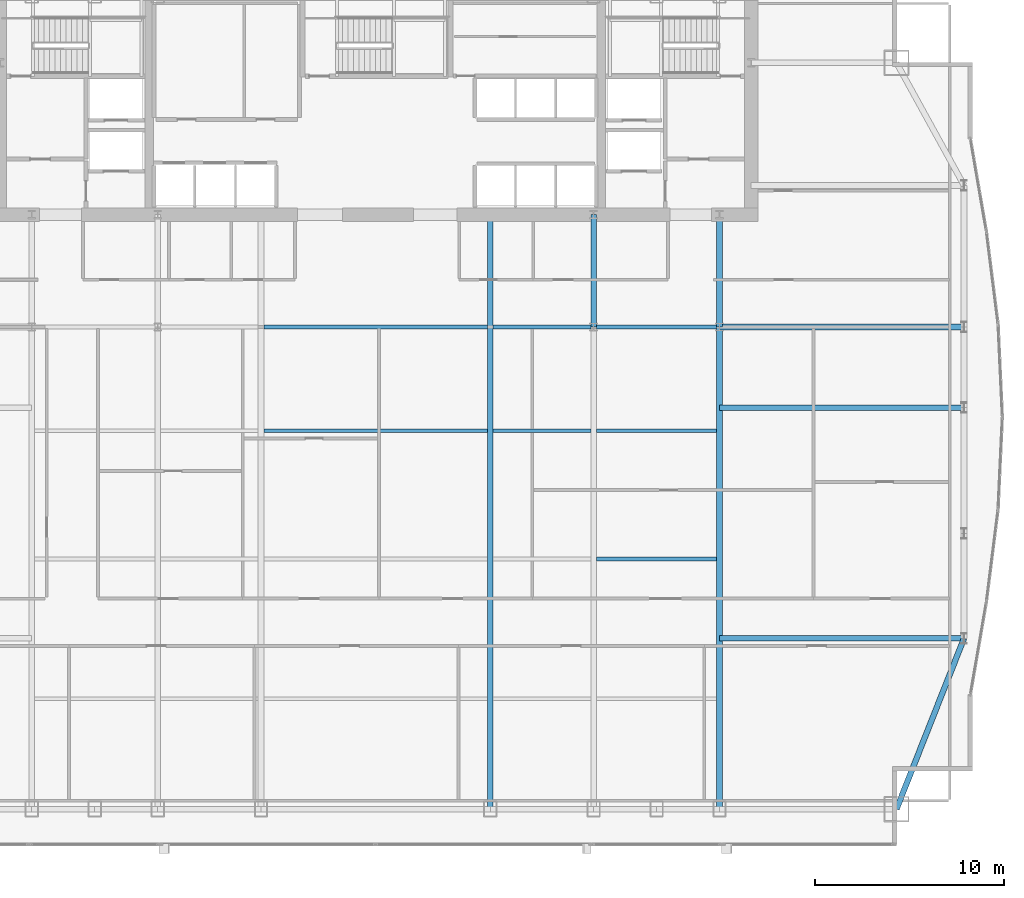
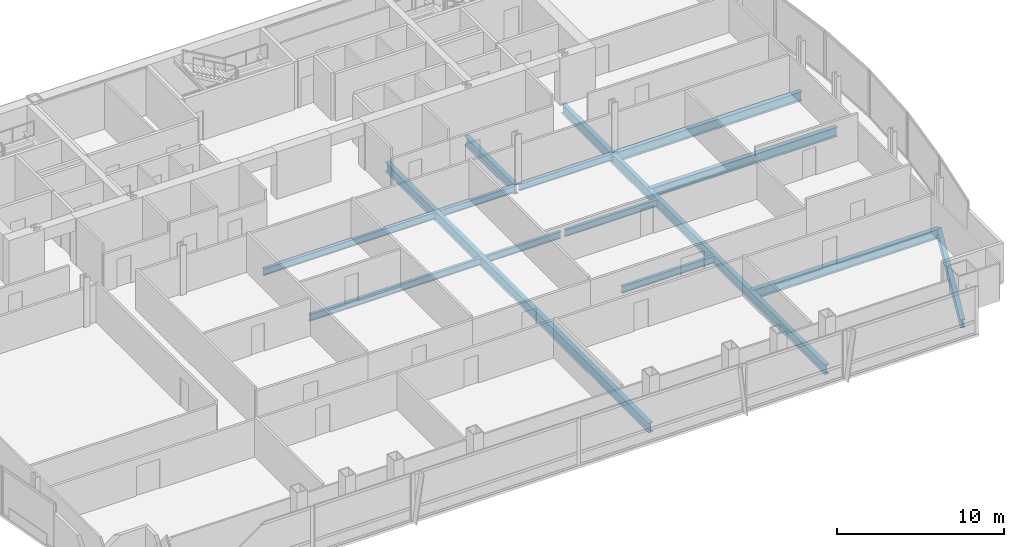
# One storey, part 16 of 29: 15 beams.
"""IFC4 building model written with IfcOpenShell, lengths in metres."""

from ifc_helpers import new_model, si_unit, direction, frame, origin, origin_2d, place, context, subcontext, project, spatial, i_section, extrude, material, material_profile, profile_set, type_object, element, save


model = new_model("IFC4")

# Units and contexts
model_context = context("Model", 3, precision=1e-05, world=origin(), true_north=direction((0.0, 1.0)))
body_context = subcontext(model_context, "Body", "Model", "MODEL_VIEW")
ifc_project = project(units=[si_unit("LENGTHUNIT", "METRE"), si_unit("AREAUNIT", "SQUARE_METRE"), si_unit("VOLUMEUNIT", "CUBIC_METRE"), si_unit("PLANEANGLEUNIT", "RADIAN"), si_unit("MASSUNIT", "GRAM", prefix="KILO")], contexts=[model_context])

# Site, building, storey
site_placement = place(None, origin())
site = spatial("IfcSite", under=ifc_project, at=site_placement, CompositionType="ELEMENT")
building_placement = place(site_placement, origin())
building = spatial("IfcBuilding", under=site, at=building_placement, Name="Khoronbel Lancet Exchange", CompositionType="ELEMENT")
storey_placement = place(building_placement, frame((0.0, 0.0, 150.60009765625)))
storey = spatial("IfcBuildingStorey", under=building, at=storey_placement, Name="L37", CompositionType="ELEMENT", Elevation=150.60009765625)

# Beams
ifc_material = material(Name="Steel S355", Category="steel")
ifc_material_profile_1 = material_profile(ifc_material, i_section(OverallWidth=0.300048828125, OverallDepth=0.699951171875, WebThickness=0.01708984375, FlangeThickness=0.031982421875, at=origin_2d()), Name="HEB 700")
ifc_profile_set_1 = profile_set([ifc_material_profile_1], Name="Steel S355")
beam_type_1 = type_object("IfcBeamType", Name="BM-BG3", PredefinedType="BEAM", material=ifc_profile_set_1)
beam_1_placement = place(storey_placement, frame((42.52490234375, 10.14990234375, -0.510009765625), z_axis=(0.0, 1.0, 0.0), x_axis=(-1.0, 0.0, 0.0)))
element("IfcBeam", 1, at=beam_1_placement, inside=storey, type_object=beam_type_1, Name="Level L37 primary floor girder G4", PredefinedType="BEAM", context=body_context, shape_type="SweptSolid", body=[
    extrude(i_section(OverallWidth=0.300048828125, OverallDepth=0.699951171875, WebThickness=0.01708984375, FlangeThickness=0.031982421875, at=origin_2d()), origin(), (0.0, 0.0, 1.0), 31.5),
])
beam_2_placement = place(storey_placement, frame((48.0, 35.699951171875, -0.510009765625), z_axis=(0.0, 1.0, 0.0), x_axis=(-1.0, 0.0, 0.0)))
element("IfcBeam", 2, at=beam_2_placement, inside=storey, type_object=beam_type_1, Name="Level L37 spine tie girder GN5", PredefinedType="BEAM", context=body_context, shape_type="SweptSolid", body=[
    extrude(i_section(OverallWidth=0.300048828125, OverallDepth=0.699951171875, WebThickness=0.01708984375, FlangeThickness=0.031982421875, at=origin_2d()), origin(), (0.0, 0.0, 1.0), 5.949951171875),
])
beam_3_placement = place(storey_placement, frame((54.675048828125, 10.14990234375, -0.510009765625), z_axis=(0.0, 1.0, 0.0), x_axis=(-1.0, 0.0, 0.0)))
element("IfcBeam", 3, at=beam_3_placement, inside=storey, type_object=beam_type_1, Name="Level L37 south primary girder GS6", PredefinedType="BEAM", context=body_context, shape_type="SweptSolid", body=[
    extrude(i_section(OverallWidth=0.300048828125, OverallDepth=0.699951171875, WebThickness=0.01708984375, FlangeThickness=0.031982421875, at=origin_2d()), origin(), (0.0, 0.0, 1.0), 25.550048828125),
])
beam_4_placement = place(storey_placement, frame((54.675048828125, 35.699951171875, -0.510009765625), z_axis=(0.0, 1.0, 0.0), x_axis=(-1.0, 0.0, 0.0)))
element("IfcBeam", 4, at=beam_4_placement, inside=storey, type_object=beam_type_1, Name="Level L37 spine tie girder GN6", PredefinedType="BEAM", context=body_context, shape_type="SweptSolid", body=[
    extrude(i_section(OverallWidth=0.300048828125, OverallDepth=0.699951171875, WebThickness=0.01708984375, FlangeThickness=0.031982421875, at=origin_2d()), origin(), (0.0, 0.0, 1.0), 5.949951171875),
])
for number, where, z_axis, x_axis, name in (
    (5, (54.675048828125, 19.199951171875, -0.510009765625), (1.0, 0.0, 0.0), (0.0, 1.0, 0.0), "Level L37 east lens tie girder LG1E"),
    (6, (54.675048828125, 31.425048828125, -0.510009765625), (1.0, 0.0, 0.0), (0.0, 1.0, 0.0), "Level L37 east lens tie girder LG2E"),
    (7, (54.675048828125, 35.699951171875, -0.510009765625), (1.0, 0.0, 0.0), (0.0, 1.0, 0.0), "Level L37 east lens tie girder LG4E"),
):
    element("IfcBeam", number, at=place(storey_placement, frame(where, z_axis=z_axis, x_axis=x_axis)), inside=storey, type_object=beam_type_1, Name=name, PredefinedType="BEAM", context=body_context, shape_type="SweptSolid", body=[
        extrude(i_section(OverallWidth=0.300048828125, OverallDepth=0.699951171875, WebThickness=0.01708984375, FlangeThickness=0.031982421875, at=origin_2d()), origin(), (0.0, 0.0, 1.0), 12.954833984375),
    ])
ifc_material_profile_2 = material_profile(ifc_material, i_section(OverallWidth=0.199951171875, OverallDepth=0.5, WebThickness=0.01025390625, FlangeThickness=0.01611328125, at=origin_2d()), Name="IPE 500")
ifc_profile_set_2 = profile_set([ifc_material_profile_2], Name="Steel S355")
beam_type_2 = type_object("IfcBeamType", Name="BM-BJ3", PredefinedType="JOIST", material=ifc_profile_set_2)
beam_5_placement = place(storey_placement, frame((48.14990234375, 23.39990234375, -0.41015625), z_axis=(1.0, 0.0, 0.0), x_axis=(0.0, 1.0, 0.0)))
element("IfcBeam", 8, at=beam_5_placement, inside=storey, type_object=beam_type_2, Name="Level L37 secondary composite joist J10", PredefinedType="JOIST", context=body_context, shape_type="SweptSolid", body=[
    extrude(i_section(OverallWidth=0.199951171875, OverallDepth=0.5, WebThickness=0.01025390625, FlangeThickness=0.01611328125, at=origin_2d()), origin(), (0.0, 0.0, 1.0), 6.375),
])
beam_6_placement = place(storey_placement, frame((30.52490234375, 30.199951171875, -0.41015625), z_axis=(1.0, 0.0, 0.0), x_axis=(0.0, 1.0, 0.0)))
element("IfcBeam", 9, at=beam_6_placement, inside=storey, type_object=beam_type_2, Name="Level L37 secondary composite joist J13", PredefinedType="JOIST", context=body_context, shape_type="SweptSolid", body=[
    extrude(i_section(OverallWidth=0.199951171875, OverallDepth=0.5, WebThickness=0.01025390625, FlangeThickness=0.01611328125, at=origin_2d()), origin(), (0.0, 0.0, 1.0), 11.85009765625),
])
beam_7_placement = place(storey_placement, frame((42.675048828125, 30.199951171875, -0.41015625), z_axis=(1.0, 0.0, 0.0), x_axis=(0.0, 1.0, 0.0)))
element("IfcBeam", 10, at=beam_7_placement, inside=storey, type_object=beam_type_2, Name="Level L37 secondary composite joist J14", PredefinedType="JOIST", context=body_context, shape_type="SweptSolid", body=[
    extrude(i_section(OverallWidth=0.199951171875, OverallDepth=0.5, WebThickness=0.01025390625, FlangeThickness=0.01611328125, at=origin_2d()), origin(), (0.0, 0.0, 1.0), 5.175048828125),
])
beam_8_placement = place(storey_placement, frame((48.14990234375, 30.199951171875, -0.41015625), z_axis=(1.0, 0.0, 0.0), x_axis=(0.0, 1.0, 0.0)))
element("IfcBeam", 11, at=beam_8_placement, inside=storey, type_object=beam_type_2, Name="Level L37 secondary composite joist J15", PredefinedType="JOIST", context=body_context, shape_type="SweptSolid", body=[
    extrude(i_section(OverallWidth=0.199951171875, OverallDepth=0.5, WebThickness=0.01025390625, FlangeThickness=0.01611328125, at=origin_2d()), origin(), (0.0, 0.0, 1.0), 6.375),
])
beam_9_placement = place(storey_placement, frame((30.52490234375, 35.699951171875, -0.41015625), z_axis=(1.0, 0.0, 0.0), x_axis=(0.0, 1.0, 0.0)))
element("IfcBeam", 12, at=beam_9_placement, inside=storey, type_object=beam_type_2, Name="Level L37 secondary composite joist J18", PredefinedType="JOIST", context=body_context, shape_type="SweptSolid", body=[
    extrude(i_section(OverallWidth=0.199951171875, OverallDepth=0.5, WebThickness=0.01025390625, FlangeThickness=0.01611328125, at=origin_2d()), origin(), (0.0, 0.0, 1.0), 11.85009765625),
])
beam_10_placement = place(storey_placement, frame((42.675048828125, 35.699951171875, -0.41015625), z_axis=(1.0, 0.0, 0.0), x_axis=(0.0, 1.0, 0.0)))
element("IfcBeam", 13, at=beam_10_placement, inside=storey, type_object=beam_type_2, Name="Level L37 secondary composite joist J19", PredefinedType="JOIST", context=body_context, shape_type="SweptSolid", body=[
    extrude(i_section(OverallWidth=0.199951171875, OverallDepth=0.5, WebThickness=0.01025390625, FlangeThickness=0.01611328125, at=origin_2d()), origin(), (0.0, 0.0, 1.0), 5.175048828125),
])
beam_11_placement = place(storey_placement, frame((48.14990234375, 35.699951171875, -0.41015625), z_axis=(1.0, 0.0, 0.0), x_axis=(0.0, 1.0, 0.0)))
element("IfcBeam", 14, at=beam_11_placement, inside=storey, type_object=beam_type_2, Name="Level L37 secondary composite joist J20", PredefinedType="JOIST", context=body_context, shape_type="SweptSolid", body=[
    extrude(i_section(OverallWidth=0.199951171875, OverallDepth=0.5, WebThickness=0.01025390625, FlangeThickness=0.01611328125, at=origin_2d()), origin(), (0.0, 0.0, 1.0), 6.375),
])
ifc_material_profile_3 = material_profile(ifc_material, i_section(OverallWidth=0.300048828125, OverallDepth=0.60009765625, WebThickness=0.015380859375, FlangeThickness=0.030029296875, at=origin_2d()), Name="HEB 600")
ifc_profile_set_3 = profile_set([ifc_material_profile_3], Name="Steel S355")
beam_type_3 = type_object("IfcBeamType", Name="BM-BSP2", PredefinedType="SPANDREL", material=ifc_profile_set_3)
beam_12_placement = place(storey_placement, frame((64.050048828125, 10.14990234375, -0.460205078125), z_axis=(0.367828403855, 0.929893684954, 0.0), x_axis=(-0.929893684954, 0.367828403855, 0.0)))
element("IfcBeam", 15, at=beam_12_placement, inside=storey, type_object=beam_type_3, Name="Level L37 perimeter spandrel beam SP10", PredefinedType="SPANDREL", context=body_context, shape_type="SweptSolid", body=[
    extrude(i_section(OverallWidth=0.300048828125, OverallDepth=0.60009765625, WebThickness=0.015380859375, FlangeThickness=0.030029296875, at=origin_2d()), origin(), (0.0, 0.0, 1.0), 9.732421875),
])

save(model, "model.ifc")
